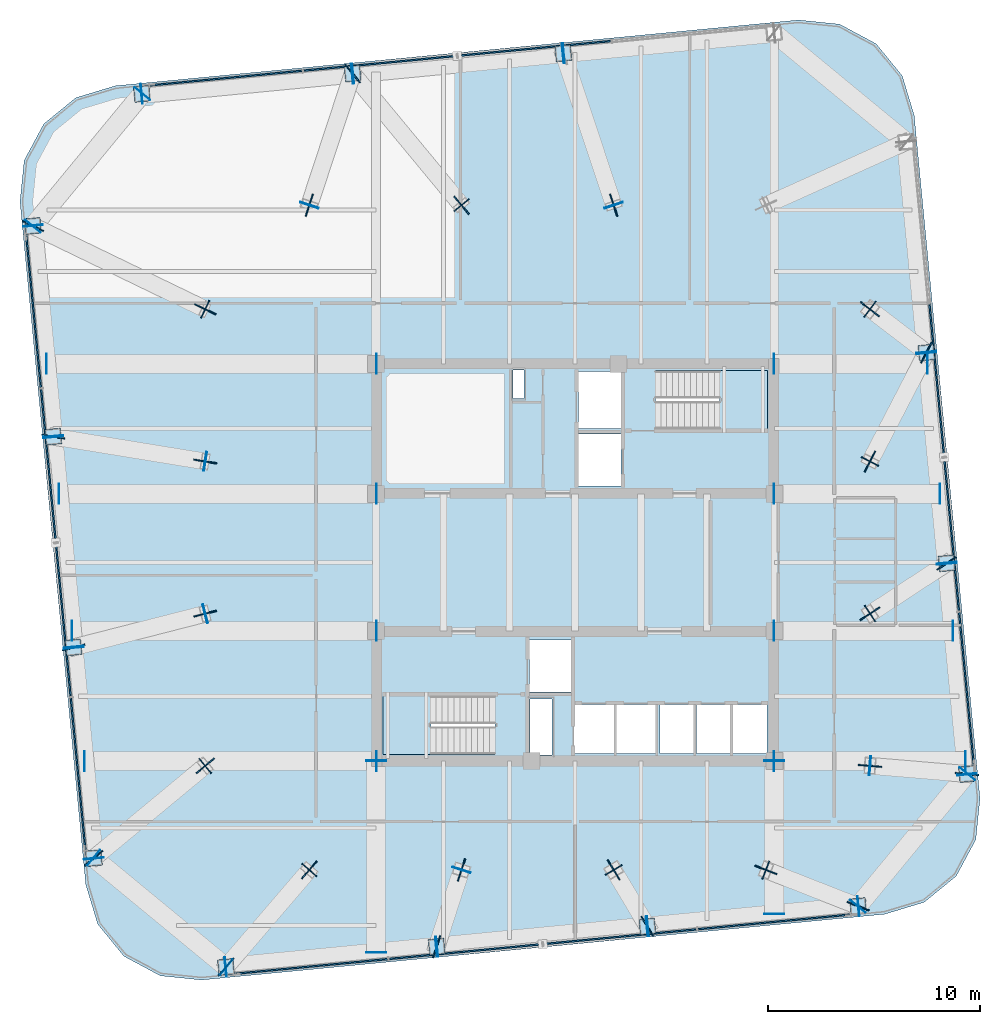
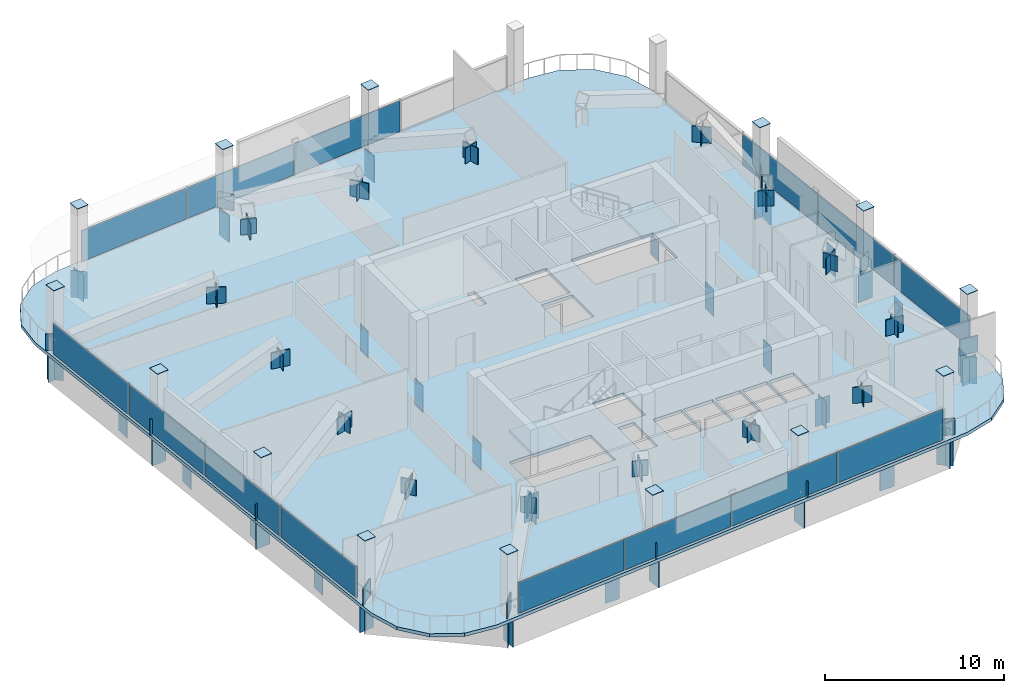
# One storey, part 15 of 22: 118 plates, 3 slabs, 6 elements without a shape of their own.
"""IFC4 building model written with IfcOpenShell, lengths in metres."""

from ifc_helpers import new_model, si_unit, direction, frame, origin, origin_2d, place, context, subcontext, project, spatial, polyline, rectangle, outline, extrude, material, layer, layer_set, type_object, element, aggregate, save


model = new_model("IFC4")

# Units and contexts
model_context = context("Model", 3, precision=1e-05, world=origin(), true_north=direction((0.0, 1.0)))
body_context = subcontext(model_context, "Body", "Model", "MODEL_VIEW")
ifc_project = project(units=[si_unit("LENGTHUNIT", "METRE"), si_unit("AREAUNIT", "SQUARE_METRE"), si_unit("VOLUMEUNIT", "CUBIC_METRE"), si_unit("PLANEANGLEUNIT", "RADIAN"), si_unit("MASSUNIT", "GRAM", prefix="KILO")], contexts=[model_context])

# Site, building, storey
site_placement = place(None, origin())
site = spatial("IfcSite", under=ifc_project, at=site_placement, CompositionType="ELEMENT")
building_placement = place(site_placement, origin())
building = spatial("IfcBuilding", under=site, at=building_placement, Name="Qhalaya Broadcast Tower", CompositionType="ELEMENT")
storey_placement = place(building_placement, frame((0.0, 0.0, 183.60009765625)))
storey = spatial("IfcBuildingStorey", under=building, at=storey_placement, Name="L54", CompositionType="ELEMENT", Elevation=183.60009765625)

# Plates
ifc_material_1 = material(Name="Structural Steel ASTM A572 Grade 50", Category="steel")
ifc_layer_1 = layer(ifc_material_1, 0.054931640625, Name="Structural Steel ASTM A572 Grade 50")
ifc_layer_set_1 = layer_set([ifc_layer_1], Name="Structural Steel ASTM A572 Grade 50")
plate_type_1 = type_object("IfcPlateType", Name="Exoskeleton Diamond Node Gusset Plate NP-01", PredefinedType="USERDEFINED", material=ifc_layer_set_1)
for number, where, z_axis, x_axis, name in (
    (1, (-16.44189453125, -18.44775390625, -0.000244140625), (0.0, 0.0, 1.0), (0.651436558597, 0.758703110659, 0.0), "L54 Strut Foot Gusset Plate 01"),
    (2, (-12.52001953125, -13.8798828125, 2.7099609375), (0.0, 0.0, 1.0), (0.651436558597, 0.758703110659, 0.0), "L54 Strut Head Gusset Plate 01"),
    (3, (-6.521240234375, -17.49267578125, -0.000244140625), (0.0, 0.0, 1.0), (0.307605734096, 0.951513905495, 0.0), "L54 Strut Foot Gusset Plate 02"),
    (4, (-5.353271484375, -13.8798828125, 2.7099609375), (0.0, 0.0, 1.0), (0.307605734096, 0.951513905495, 0.0), "L54 Strut Head Gusset Plate 02"),
    (5, (3.399658203125, -16.537353515625, -0.000244140625), (0.0, 0.0, 1.0), (-0.512567478044, 0.8586469475, 0.0), "L54 Strut Foot Gusset Plate 03"),
    (6, (1.813232421875, -13.8798828125, 2.7099609375), (0.0, 0.0, 1.0), (-0.512567478044, 0.8586469475, 0.0), "L54 Strut Head Gusset Plate 03"),
    (7, (13.3203125, -15.58203125, -0.000244140625), (0.0, 0.0, 1.0), (-0.930979375828, 0.365071776208, 0.0), "L54 Strut Foot Gusset Plate 04"),
    (8, (8.97998046875, -13.8798828125, 2.7099609375), (0.0, 0.0, 1.0), (-0.930979375828, 0.365071776208, 0.0), "L54 Strut Head Gusset Plate 04"),
    (9, (18.44775390625, -9.362060546875, -0.000244140625), (0.0, 0.0, 1.0), (-0.996522007617, 0.083329996614, 0.0), "L54 Strut Foot Gusset Plate 05"),
    (10, (13.8798828125, -8.97998046875, 2.7099609375), (0.0, 0.0, 1.0), (-0.996522007617, 0.083329996614, 0.0), "L54 Strut Head Gusset Plate 05"),
    (11, (17.49267578125, 0.558837890625, -0.000244140625), (0.0, 0.0, 1.0), (-0.835903171196, -0.548876933733, 0.0), "L54 Strut Foot Gusset Plate 06"),
    (12, (13.8798828125, -1.813232421875, 2.7099609375), (0.0, 0.0, 1.0), (-0.835903171196, -0.548876933733, 0.0), "L54 Strut Head Gusset Plate 06"),
    (13, (16.537353515625, 10.4794921875, -0.000244140625), (0.0, 0.0, 1.0), (-0.460215280015, -0.887807353, 0.0), "L54 Strut Foot Gusset Plate 07"),
    (14, (13.8798828125, 5.353271484375, 2.7099609375), (0.0, 0.0, 1.0), (-0.460215280015, -0.887807353, 0.0), "L54 Strut Head Gusset Plate 07"),
    (15, (13.8798828125, 12.52001953125, 2.7099609375), (0.0, 0.0, 1.0), (-0.793151423739, 0.609024481463, 0.0), "L54 Strut Head Gusset Plate 08"),
    (16, (1.813232421875, 17.419921875, 2.7099609375), (0.0, 0.0, 1.0), (0.314787734517, -0.949162094796, 0.0), "L54 Strut Head Gusset Plate 10"),
    (17, (-10.4794921875, 23.6171875, -0.000244140625), (0.0, 0.0, 1.0), (0.637383644896, -0.770546617162, 0.0), "L54 Strut Foot Gusset Plate 11"),
    (18, (-5.353271484375, 17.419921875, 2.7099609375), (0.0, 0.0, 1.0), (0.637383644896, -0.770546617162, 0.0), "L54 Strut Head Gusset Plate 11"),
    (19, (-12.52001953125, 17.419921875, 2.7099609375), (0.0, 0.0, 1.0), (-0.312732814462, -0.949841137643, 0.0), "L54 Strut Head Gusset Plate 12"),
    (20, (-25.52783203125, 16.44189453125, -0.000244140625), (0.0, 0.0, 1.0), (0.900204797315, -0.435466787358, 0.0), "L54 Strut Foot Gusset Plate 13"),
    (21, (-17.419921875, 12.52001953125, 2.7099609375), (0.0, 0.0, 1.0), (0.900204797315, -0.435466787358, 0.0), "L54 Strut Head Gusset Plate 13"),
    (22, (-24.572509765625, 6.521240234375, -0.000244140625), (0.0, 0.0, 1.0), (0.986928948285, -0.161155983561, 0.0), "L54 Strut Foot Gusset Plate 14"),
    (23, (-17.419921875, 5.353271484375, 2.7099609375), (0.0, 0.0, 1.0), (0.986928948285, -0.161155983561, 0.0), "L54 Strut Head Gusset Plate 14"),
    (24, (-23.6171875, -3.399658203125, -0.000244140625), (0.0, 0.0, 1.0), (0.968765200089, 0.247979811872, 0.0), "L54 Strut Foot Gusset Plate 15"),
    (25, (-17.419921875, -1.813232421875, 2.7099609375), (0.0, 0.0, 1.0), (0.968765200089, 0.247979811872, 0.0), "L54 Strut Head Gusset Plate 15"),
    (26, (-22.662109375, -13.3203125, -0.000244140625), (0.0, 0.0, 1.0), (0.770235040753, 0.637760128885, 0.0), "L54 Strut Foot Gusset Plate 16"),
    (27, (-17.419921875, -8.97998046875, 2.7099609375), (0.0, 0.0, 1.0), (0.770235040753, 0.637760128885, 0.0), "L54 Strut Head Gusset Plate 16"),
):
    element("IfcPlate", number, at=place(storey_placement, frame(where, z_axis=z_axis, x_axis=x_axis)), inside=storey, type_object=plate_type_1, Name=name, ObjectType="GUSSET_PLATE", PredefinedType="USERDEFINED", context=body_context, shape_type="SweptSolid", body=[
        extrude(rectangle(XDim=1.10009765625, YDim=0.06005859375, at=origin_2d()), origin(), (0.0, 0.0, 1.0), 1.10009765625),
    ])
ifc_layer_2 = layer(ifc_material_1, 0.4599609375, Name="Structural Steel ASTM A572 Grade 50")
ifc_layer_set_2 = layer_set([ifc_layer_2], Name="Structural Steel ASTM A572 Grade 50")
plate_type_2 = type_object("IfcPlateType", Name="Hollow Box Member End Cap Plate CP-01", PredefinedType="USERDEFINED", material=ifc_layer_set_2)
for number, where, z_axis, x_axis, name in (
    (28, (-16.4580078125, -18.44921875, -2.0400390625), (0.0, 0.0, 1.0), (-0.09584575252, 0.995396198367, 0.0), "L54 Hollow Girder End Cap L54-SPR-01-A"),
    (29, (-6.50537109375, -17.4912109375, -2.0400390625), (0.0, 0.0, 1.0), (-0.09584575252, 0.995396198367, 0.0), "L54 Hollow Girder End Cap L54-SPR-01-B"),
    (30, (-6.537109375, -17.494140625, -2.0400390625), (0.0, 0.0, 1.0), (-0.09584575252, 0.995396198367, 0.0), "L54 Hollow Girder End Cap L54-SPR-02-A"),
    (31, (3.41552734375, -16.535888671875, -2.0400390625), (0.0, 0.0, 1.0), (-0.09584575252, 0.995396198367, 0.0), "L54 Hollow Girder End Cap L54-SPR-02-B"),
    (32, (3.3837890625, -16.538818359375, -2.0400390625), (0.0, 0.0, 1.0), (-0.09584575252, 0.995396198367, 0.0), "L54 Hollow Girder End Cap L54-SPR-03-A"),
    (33, (13.336181640625, -15.58056640625, -2.0400390625), (0.0, 0.0, 1.0), (-0.09584575252, 0.995396198367, 0.0), "L54 Hollow Girder End Cap L54-SPR-03-B"),
    (34, (13.310302734375, -15.59423828125, -2.0400390625), (0.0, 0.0, 1.0), (-0.771624583388, 0.636078220278, 0.0), "L54 Hollow Girder End Cap L54-SPR-04-A"),
    (35, (18.4580078125, -9.349609375, -2.0400390625), (0.0, 0.0, 1.0), (-0.771624583388, 0.636078220278, 0.0), "L54 Hollow Girder End Cap L54-SPR-04-B"),
    (36, (18.44921875, -9.3779296875, -2.0400390625), (0.0, 0.0, 1.0), (-0.995396198367, -0.09584575252, 0.0), "L54 Hollow Girder End Cap L54-SPR-05-A"),
    (37, (17.4912109375, 0.57470703125, -2.0400390625), (0.0, 0.0, 1.0), (-0.995396198367, -0.09584575252, 0.0), "L54 Hollow Girder End Cap L54-SPR-05-B"),
    (38, (17.494140625, 0.54296875, -2.0400390625), (0.0, 0.0, 1.0), (-0.995396198367, -0.09584575252, 0.0), "L54 Hollow Girder End Cap L54-SPR-06-A"),
    (39, (16.535888671875, 10.49560546875, -2.0400390625), (0.0, 0.0, 1.0), (-0.995396198367, -0.09584575252, 0.0), "L54 Hollow Girder End Cap L54-SPR-06-B"),
    (40, (16.538818359375, 10.463623046875, -2.0400390625), (0.0, 0.0, 1.0), (-0.995396198367, -0.09584575252, 0.0), "L54 Hollow Girder End Cap L54-SPR-07-A"),
    (41, (-0.57470703125, 24.571044921875, -2.0400390625), (0.0, 0.0, 1.0), (0.09584575252, -0.995396198367, 0.0), "L54 Hollow Girder End Cap L54-SPR-09-B"),
    (42, (-0.54296875, 24.57421875, -2.0400390625), (0.0, 0.0, 1.0), (0.09584575252, -0.995396198367, 0.0), "L54 Hollow Girder End Cap L54-SPR-10-A"),
    (43, (-10.49560546875, 23.61572265625, -2.0400390625), (0.0, 0.0, 1.0), (0.09584575252, -0.995396198367, 0.0), "L54 Hollow Girder End Cap L54-SPR-10-B"),
    (44, (-10.463623046875, 23.618896484375, -2.0400390625), (0.0, 0.0, 1.0), (0.09584575252, -0.995396198367, 0.0), "L54 Hollow Girder End Cap L54-SPR-11-A"),
    (45, (-20.416259765625, 22.660400390625, -2.0400390625), (0.0, 0.0, 1.0), (0.09584575252, -0.995396198367, 0.0), "L54 Hollow Girder End Cap L54-SPR-11-B"),
    (46, (-20.39013671875, 22.67431640625, -2.0400390625), (0.0, 0.0, 1.0), (0.771624583388, -0.636078220278, 0.0), "L54 Hollow Girder End Cap L54-SPR-12-A"),
    (47, (-25.5380859375, 16.4296875, -2.0400390625), (0.0, 0.0, 1.0), (0.771624583388, -0.636078220278, 0.0), "L54 Hollow Girder End Cap L54-SPR-12-B"),
    (48, (-25.529296875, 16.4580078125, -2.0400390625), (0.0, 0.0, 1.0), (0.995396198367, 0.09584575252, 0.0), "L54 Hollow Girder End Cap L54-SPR-13-A"),
    (49, (-24.571044921875, 6.50537109375, -2.0400390625), (0.0, 0.0, 1.0), (0.995396198367, 0.09584575252, 0.0), "L54 Hollow Girder End Cap L54-SPR-13-B"),
    (50, (-24.57421875, 6.537109375, -2.0400390625), (0.0, 0.0, 1.0), (0.995396198367, 0.09584575252, 0.0), "L54 Hollow Girder End Cap L54-SPR-14-A"),
    (51, (-23.61572265625, -3.41552734375, -2.0400390625), (0.0, 0.0, 1.0), (0.995396198367, 0.09584575252, 0.0), "L54 Hollow Girder End Cap L54-SPR-14-B"),
    (52, (-23.618896484375, -3.3837890625, -2.0400390625), (0.0, 0.0, 1.0), (0.995396198367, 0.09584575252, 0.0), "L54 Hollow Girder End Cap L54-SPR-15-A"),
    (53, (-22.660400390625, -13.336181640625, -2.0400390625), (0.0, 0.0, 1.0), (0.995396198367, 0.09584575252, 0.0), "L54 Hollow Girder End Cap L54-SPR-15-B"),
    (54, (-22.67431640625, -13.310302734375, -2.0400390625), (0.0, 0.0, 1.0), (0.636078220278, 0.771624583388, 0.0), "L54 Hollow Girder End Cap L54-SPR-16-A"),
    (55, (-16.4296875, -18.4580078125, -2.0400390625), (0.0, 0.0, 1.0), (0.636078220278, 0.771624583388, 0.0), "L54 Hollow Girder End Cap L54-SPR-16-B"),
    (56, (-9.375, -17.76318359375, -2.0400390625), (0.0, 0.0, 1.0), (-1.0, 0.0, 0.0), "L54 Hollow Girder End Cap L54-PGXS1-1-A"),
    (57, (-9.375, -8.73388671875, -2.0400390625), (0.0, 0.0, 1.0), (-1.0, 0.0, 0.0), "L54 Hollow Girder End Cap L54-PGXS1-1-B"),
    (58, (9.375, -15.957763671875, -2.0400390625), (0.0, 0.0, 1.0), (-1.0, 0.0, 0.0), "L54 Hollow Girder End Cap L54-PGXS2-1-A"),
    (59, (9.375, -8.73388671875, -2.0400390625), (0.0, 0.0, 1.0), (-1.0, 0.0, 0.0), "L54 Hollow Girder End Cap L54-PGXS2-1-B"),
    (60, (-23.097900390625, -8.75, -2.0400390625), (0.0, 0.0, 1.0), (0.0, 1.0, 0.0), "L54 Hollow Girder End Cap L54-PGYW1-1-A"),
    (61, (-9.35888671875, -8.75, -2.0400390625), (0.0, 0.0, 1.0), (0.0, 1.0, 0.0), "L54 Hollow Girder End Cap L54-PGYW1-1-B"),
    (62, (9.35888671875, -8.75, -2.0400390625), (0.0, 0.0, 1.0), (0.0, 1.0, 0.0), "L54 Hollow Girder End Cap L54-PGYE1-1-A"),
    (63, (18.384765625, -8.75, -2.0400390625), (0.0, 0.0, 1.0), (0.0, 1.0, 0.0), "L54 Hollow Girder End Cap L54-PGYE1-1-B"),
    (64, (-23.687744140625, -2.625, -2.0400390625), (0.0, 0.0, 1.0), (0.0, 1.0, 0.0), "L54 Hollow Girder End Cap L54-PGYW2-1-A"),
    (65, (-9.35888671875, -2.625, -2.0400390625), (0.0, 0.0, 1.0), (0.0, 1.0, 0.0), "L54 Hollow Girder End Cap L54-PGYW2-1-B"),
    (66, (9.35888671875, -2.625, -2.0400390625), (0.0, 0.0, 1.0), (0.0, 1.0, 0.0), "L54 Hollow Girder End Cap L54-PGYE2-1-A"),
    (67, (17.795166015625, -2.625, -2.0400390625), (0.0, 0.0, 1.0), (0.0, 1.0, 0.0), "L54 Hollow Girder End Cap L54-PGYE2-1-B"),
    (68, (-24.308837890625, 3.824951171875, -2.0400390625), (0.0, 0.0, 1.0), (0.0, 1.0, 0.0), "L54 Hollow Girder End Cap L54-PGYW3-1-A"),
    (69, (-9.35888671875, 3.824951171875, -2.0400390625), (0.0, 0.0, 1.0), (0.0, 1.0, 0.0), "L54 Hollow Girder End Cap L54-PGYW3-1-B"),
    (70, (9.35888671875, 3.824951171875, -2.0400390625), (0.0, 0.0, 1.0), (0.0, 1.0, 0.0), "L54 Hollow Girder End Cap L54-PGYE3-1-A"),
    (71, (17.174072265625, 3.824951171875, -2.0400390625), (0.0, 0.0, 1.0), (0.0, 1.0, 0.0), "L54 Hollow Girder End Cap L54-PGYE3-1-B"),
    (72, (-24.898681640625, 9.949951171875, -2.0400390625), (0.0, 0.0, 1.0), (0.0, 1.0, 0.0), "L54 Hollow Girder End Cap L54-PGYW4-1-A"),
    (73, (-9.35888671875, 9.949951171875, -2.0400390625), (0.0, 0.0, 1.0), (0.0, 1.0, 0.0), "L54 Hollow Girder End Cap L54-PGYW4-1-B"),
    (74, (9.35888671875, 9.949951171875, -2.0400390625), (0.0, 0.0, 1.0), (0.0, 1.0, 0.0), "L54 Hollow Girder End Cap L54-PGYE4-1-A"),
    (75, (16.584228515625, 9.949951171875, -2.0400390625), (0.0, 0.0, 1.0), (0.0, 1.0, 0.0), "L54 Hollow Girder End Cap L54-PGYE4-1-B"),
):
    element("IfcPlate", number, at=place(storey_placement, frame(where, z_axis=z_axis, x_axis=x_axis)), inside=storey, type_object=plate_type_2, Name=name, ObjectType="COVER_PLATE", PredefinedType="USERDEFINED", context=body_context, shape_type="SweptSolid", body=[
        extrude(rectangle(XDim=0.93994140625, YDim=0.031982421875, at=origin_2d()), origin(), (0.0, 0.0, 1.0), 1.840087890625),
    ])
for number, where, z_axis, x_axis, name in (
    (76, (-16.44189453125, -18.44775390625, 4.35009765625), (0.0, 0.0, 1.0), (0.995396198367, 0.09584575252, 0.0), "L54 Hollow Box Column Top Cap Plate COL-EX01"),
    (77, (-6.521240234375, -17.49267578125, 4.35009765625), (0.0, 0.0, 1.0), (0.995396198367, 0.09584575252, 0.0), "L54 Hollow Box Column Top Cap Plate COL-EX02"),
    (78, (3.399658203125, -16.537353515625, 4.35009765625), (0.0, 0.0, 1.0), (0.995396198367, 0.09584575252, 0.0), "L54 Hollow Box Column Top Cap Plate COL-EX03"),
    (79, (13.3203125, -15.58203125, 4.35009765625), (0.0, 0.0, 1.0), (0.995396198367, 0.09584575252, 0.0), "L54 Hollow Box Column Top Cap Plate COL-EX04"),
    (80, (18.44775390625, -9.362060546875, 4.35009765625), (0.0, 0.0, 1.0), (-0.09584575252, 0.995396198367, 0.0), "L54 Hollow Box Column Top Cap Plate COL-EX05"),
    (81, (17.49267578125, 0.558837890625, 4.35009765625), (0.0, 0.0, 1.0), (-0.09584575252, 0.995396198367, 0.0), "L54 Hollow Box Column Top Cap Plate COL-EX06"),
    (82, (16.537353515625, 10.4794921875, 4.35009765625), (0.0, 0.0, 1.0), (-0.09584575252, 0.995396198367, 0.0), "L54 Hollow Box Column Top Cap Plate COL-EX07"),
    (83, (-0.558837890625, 24.572509765625, 4.35009765625), (0.0, 0.0, 1.0), (0.995396198367, 0.09584575252, 0.0), "L54 Hollow Box Column Top Cap Plate COL-EX10"),
    (84, (-10.4794921875, 23.6171875, 4.35009765625), (0.0, 0.0, 1.0), (0.995396198367, 0.09584575252, 0.0), "L54 Hollow Box Column Top Cap Plate COL-EX11"),
    (85, (-20.400390625, 22.662109375, 4.35009765625), (0.0, 0.0, 1.0), (0.995396198367, 0.09584575252, 0.0), "L54 Hollow Box Column Top Cap Plate COL-EX12"),
    (86, (-25.52783203125, 16.44189453125, 4.35009765625), (0.0, 0.0, 1.0), (-0.09584575252, 0.995396198367, 0.0), "L54 Hollow Box Column Top Cap Plate COL-EX13"),
    (87, (-24.572509765625, 6.521240234375, 4.35009765625), (0.0, 0.0, 1.0), (-0.09584575252, 0.995396198367, 0.0), "L54 Hollow Box Column Top Cap Plate COL-EX14"),
    (88, (-23.6171875, -3.399658203125, 4.35009765625), (0.0, 0.0, 1.0), (-0.09584575252, 0.995396198367, 0.0), "L54 Hollow Box Column Top Cap Plate COL-EX15"),
    (89, (-22.662109375, -13.3203125, 4.35009765625), (0.0, 0.0, 1.0), (-0.09584575252, 0.995396198367, 0.0), "L54 Hollow Box Column Top Cap Plate COL-EX16"),
):
    element("IfcPlate", number, at=place(storey_placement, frame(where, z_axis=z_axis, x_axis=x_axis)), inside=storey, type_object=plate_type_2, Name=name, ObjectType="COVER_PLATE", PredefinedType="USERDEFINED", context=body_context, shape_type="SweptSolid", body=[
        extrude(rectangle(XDim=0.739990234375, YDim=0.739990234375, at=origin_2d()), origin(), (0.0, 0.0, 1.0), 0.031982421875),
    ])

# Curtain wall, plates
ifc_material_2 = material(Name="Fired Architectural Terracotta", Category="masonry")
ifc_layer_3 = layer(ifc_material_2, 0.219970703125, Name="Fired Architectural Terracotta")
ifc_layer_set_3 = layer_set([ifc_layer_3], Name="Fired Architectural Terracotta")
curtain_wall_type = type_object("IfcCurtainWallType", Name="Block-Cap Unitised Terracotta Spandrel Wall CW-07", PredefinedType="NOTDEFINED", material=ifc_layer_set_3)
curtain_wall_1_placement = place(storey_placement, origin())
curtain_wall_1 = element("IfcCurtainWall", 90, at=curtain_wall_1_placement, inside=storey, type_object=curtain_wall_type, Name="L54 Unitised Curtain Wall L54-CW-S", PredefinedType="NOTDEFINED")
ifc_layer_4 = layer(ifc_material_2, 0.080078125, Name="Fired Architectural Terracotta")
ifc_layer_set_4 = layer_set([ifc_layer_4], Name="Fired Architectural Terracotta")
plate_type_3 = type_object("IfcPlateType", Name="Insulated Terracotta Spandrel Panel TSP-07", PredefinedType="CURTAIN_PANEL", material=ifc_layer_set_4)
plate_1_placement = place(storey_placement, frame((9.363525390625, -16.32470703125, 0.074951171875), z_axis=(0.0, 0.0, 1.0), x_axis=(-0.995396167806, -0.095846069906, 0.0)))
plate_1 = element("IfcPlate", 91, at=plate_1_placement, type_object=plate_type_3, Name="CW-07 panel 1.1", PredefinedType="CURTAIN_PANEL", context=body_context, shape_type="SweptSolid", body=[
    extrude(rectangle(XDim=7.193603515625, YDim=0.080078125, at=origin_2d()), origin(), (0.0, 0.0, 1.0), 2.10009765625),
])
plate_2_placement = place(storey_placement, frame((2.10986328125, -17.023193359375, 0.074951171875), z_axis=(0.0, 0.0, 1.0), x_axis=(-0.995396167806, -0.095846069906, 0.0)))
plate_2 = element("IfcPlate", 92, at=plate_2_placement, type_object=plate_type_3, Name="CW-07 panel 2.1", PredefinedType="CURTAIN_PANEL", context=body_context, shape_type="SweptSolid", body=[
    extrude(rectangle(XDim=7.23095703125, YDim=0.080078125, at=origin_2d()), origin(), (0.0, 0.0, 1.0), 2.10009765625),
])
plate_3_placement = place(storey_placement, frame((-5.162353515625, -17.723388671875, 0.074951171875), z_axis=(0.0, 0.0, 1.0), x_axis=(-0.995396167806, -0.095846069906, 0.0)))
plate_3 = element("IfcPlate", 93, at=plate_3_placement, type_object=plate_type_3, Name="CW-07 panel 3.1", PredefinedType="CURTAIN_PANEL", context=body_context, shape_type="SweptSolid", body=[
    extrude(rectangle(XDim=7.23095703125, YDim=0.080078125, at=origin_2d()), origin(), (0.0, 0.0, 1.0), 2.10009765625),
])
plate_4_placement = place(storey_placement, frame((-12.416259765625, -18.421875, 0.074951171875), z_axis=(0.0, 0.0, 1.0), x_axis=(-0.995396167806, -0.095846069906, 0.0)))
plate_4 = element("IfcPlate", 94, at=plate_4_placement, type_object=plate_type_3, Name="CW-07 panel 4.1", PredefinedType="CURTAIN_PANEL", context=body_context, shape_type="SweptSolid", body=[
    extrude(rectangle(XDim=7.193603515625, YDim=0.080078125, at=origin_2d()), origin(), (0.0, 0.0, 1.0), 2.10009765625),
])
aggregate(curtain_wall_1, [plate_1, plate_2, plate_3, plate_4])

curtain_wall_2_placement = place(storey_placement, origin())
curtain_wall_2 = element("IfcCurtainWall", 95, at=curtain_wall_2_placement, inside=storey, type_object=curtain_wall_type, Name="L54 Unitised Curtain Wall L54-CW-E", PredefinedType="NOTDEFINED")
plate_5_placement = place(storey_placement, frame((17.023193359375, 9.18994140625, 0.074951171875), z_axis=(0.0, 0.0, 1.0), x_axis=(0.095846069906, -0.995396167806, 0.0)))
plate_5 = element("IfcPlate", 96, at=plate_5_placement, type_object=plate_type_3, Name="CW-07 panel 2.1", PredefinedType="CURTAIN_PANEL", context=body_context, shape_type="SweptSolid", body=[
    extrude(rectangle(XDim=7.23095703125, YDim=0.080078125, at=origin_2d()), origin(), (0.0, 0.0, 1.0), 2.10009765625),
])
plate_6_placement = place(storey_placement, frame((17.723388671875, 1.91748046875, 0.074951171875), z_axis=(0.0, 0.0, 1.0), x_axis=(0.095846069906, -0.995396167806, 0.0)))
plate_6 = element("IfcPlate", 97, at=plate_6_placement, type_object=plate_type_3, Name="CW-07 panel 3.1", PredefinedType="CURTAIN_PANEL", context=body_context, shape_type="SweptSolid", body=[
    extrude(rectangle(XDim=7.23095703125, YDim=0.080078125, at=origin_2d()), origin(), (0.0, 0.0, 1.0), 2.10009765625),
])
plate_7_placement = place(storey_placement, frame((18.421875, -5.336181640625, 0.074951171875), z_axis=(0.0, 0.0, 1.0), x_axis=(0.095846069906, -0.995396167806, 0.0)))
plate_7 = element("IfcPlate", 98, at=plate_7_placement, type_object=plate_type_3, Name="CW-07 panel 4.1", PredefinedType="CURTAIN_PANEL", context=body_context, shape_type="SweptSolid", body=[
    extrude(rectangle(XDim=7.193603515625, YDim=0.080078125, at=origin_2d()), origin(), (0.0, 0.0, 1.0), 2.10009765625),
])
aggregate(curtain_wall_2, [plate_5, plate_6, plate_7])

curtain_wall_3_placement = place(storey_placement, origin())
curtain_wall_3 = element("IfcCurtainWall", 99, at=curtain_wall_3_placement, inside=storey, type_object=curtain_wall_type, Name="L54 Unitised Curtain Wall L54-CW-N", PredefinedType="NOTDEFINED")
plate_8_placement = place(storey_placement, frame((-16.443603515625, 23.40478515625, 0.074951171875), z_axis=(0.0, 0.0, 1.0), x_axis=(0.995396167806, 0.095846069906, 0.0)))
plate_8 = element("IfcPlate", 100, at=plate_8_placement, type_object=plate_type_3, Name="CW-07 panel 1.1", PredefinedType="CURTAIN_PANEL", context=body_context, shape_type="SweptSolid", body=[
    extrude(rectangle(XDim=7.193603515625, YDim=0.080078125, at=origin_2d()), origin(), (0.0, 0.0, 1.0), 2.10009765625),
])
plate_9_placement = place(storey_placement, frame((-9.18994140625, 24.103271484375, 0.074951171875), z_axis=(0.0, 0.0, 1.0), x_axis=(0.995396167806, 0.095846069906, 0.0)))
plate_9 = element("IfcPlate", 101, at=plate_9_placement, type_object=plate_type_3, Name="CW-07 panel 2.1", PredefinedType="CURTAIN_PANEL", context=body_context, shape_type="SweptSolid", body=[
    extrude(rectangle(XDim=7.23095703125, YDim=0.080078125, at=origin_2d()), origin(), (0.0, 0.0, 1.0), 2.10009765625),
])
plate_10_placement = place(storey_placement, frame((-1.91748046875, 24.803466796875, 0.074951171875), z_axis=(0.0, 0.0, 1.0), x_axis=(0.995396167806, 0.095846069906, 0.0)))
plate_10 = element("IfcPlate", 102, at=plate_10_placement, type_object=plate_type_3, Name="CW-07 panel 3.1", PredefinedType="CURTAIN_PANEL", context=body_context, shape_type="SweptSolid", body=[
    extrude(rectangle(XDim=7.23095703125, YDim=0.080078125, at=origin_2d()), origin(), (0.0, 0.0, 1.0), 2.10009765625),
])
aggregate(curtain_wall_3, [plate_8, plate_9, plate_10])

curtain_wall_4_placement = place(storey_placement, origin())
curtain_wall_4 = element("IfcCurtainWall", 103, at=curtain_wall_4_placement, inside=storey, type_object=curtain_wall_type, Name="L54 Unitised Curtain Wall L54-CW-W", PredefinedType="NOTDEFINED")
plate_11_placement = place(storey_placement, frame((-23.40478515625, -9.363525390625, 0.074951171875), z_axis=(0.0, 0.0, 1.0), x_axis=(-0.095846069906, 0.995396167806, 0.0)))
plate_11 = element("IfcPlate", 104, at=plate_11_placement, type_object=plate_type_3, Name="CW-07 panel 1.1", PredefinedType="CURTAIN_PANEL", context=body_context, shape_type="SweptSolid", body=[
    extrude(rectangle(XDim=7.193603515625, YDim=0.080078125, at=origin_2d()), origin(), (0.0, 0.0, 1.0), 2.10009765625),
])
plate_12_placement = place(storey_placement, frame((-24.103271484375, -2.10986328125, 0.074951171875), z_axis=(0.0, 0.0, 1.0), x_axis=(-0.095846069906, 0.995396167806, 0.0)))
plate_12 = element("IfcPlate", 105, at=plate_12_placement, type_object=plate_type_3, Name="CW-07 panel 2.1", PredefinedType="CURTAIN_PANEL", context=body_context, shape_type="SweptSolid", body=[
    extrude(rectangle(XDim=7.23095703125, YDim=0.080078125, at=origin_2d()), origin(), (0.0, 0.0, 1.0), 2.10009765625),
])
plate_13_placement = place(storey_placement, frame((-24.803466796875, 5.162353515625, 0.074951171875), z_axis=(0.0, 0.0, 1.0), x_axis=(-0.095846069906, 0.995396167806, 0.0)))
plate_13 = element("IfcPlate", 106, at=plate_13_placement, type_object=plate_type_3, Name="CW-07 panel 3.1", PredefinedType="CURTAIN_PANEL", context=body_context, shape_type="SweptSolid", body=[
    extrude(rectangle(XDim=7.23095703125, YDim=0.080078125, at=origin_2d()), origin(), (0.0, 0.0, 1.0), 2.10009765625),
])
plate_14_placement = place(storey_placement, frame((-25.501953125, 12.416259765625, 0.074951171875), z_axis=(0.0, 0.0, 1.0), x_axis=(-0.095846069906, 0.995396167806, 0.0)))
plate_14 = element("IfcPlate", 107, at=plate_14_placement, type_object=plate_type_3, Name="CW-07 panel 4.1", PredefinedType="CURTAIN_PANEL", context=body_context, shape_type="SweptSolid", body=[
    extrude(rectangle(XDim=7.193603515625, YDim=0.080078125, at=origin_2d()), origin(), (0.0, 0.0, 1.0), 2.10009765625),
])
aggregate(curtain_wall_4, [plate_11, plate_12, plate_13, plate_14])

# Stair, slab
ifc_material_3 = material(Name="Concrete C40/50", Category="concrete")
stair_type = type_object("IfcStairType", Name="Protected Dogleg Core Stair 4200", PredefinedType="TWO_STRAIGHT_RUN_STAIR", material=ifc_material_3)
stair_1_placement = place(storey_placement, origin())
stair_1 = element("IfcStair", 108, at=stair_1_placement, inside=storey, type_object=stair_type, Name="L54 North Core Exit Stair ST-1", PredefinedType="TWO_STRAIGHT_RUN_STAIR")
ifc_layer_5 = layer(ifc_material_3, 0.199951171875, Name="Concrete C40/50")
ifc_layer_set_5 = layer_set([ifc_layer_5], Name="Concrete C40/50")
slab_type_1 = type_object("IfcSlabType", Name="Stair & Ramp Half-Landing Slab 200", PredefinedType="LANDING", material=ifc_layer_set_5)
slab_1_placement = place(storey_placement, frame((0.0, 0.0, 1.974853515625)))
slab_1 = element("IfcSlab", 109, at=slab_1_placement, type_object=slab_type_1, Name="ST-1 landing 1", PredefinedType="LANDING", context=body_context, shape_type="SweptSolid", body=[
    extrude(outline(polyline([(6.794921875, 6.8798828125), (9.050048828125, 6.8798828125), (9.050048828125, 9.639892578125), (6.794921875, 9.639892578125), (6.794921875, 6.8798828125)])), origin(), (0.0, 0.0, 1.0), 0.199951171875),
])
aggregate(stair_1, [slab_1])

stair_2_placement = place(storey_placement, origin())
stair_2 = element("IfcStair", 110, at=stair_2_placement, inside=storey, type_object=stair_type, Name="L54 South Core Exit Stair ST-2", PredefinedType="TWO_STRAIGHT_RUN_STAIR")
slab_2_placement = place(storey_placement, frame((0.0, 0.0, 1.974853515625)))
slab_2 = element("IfcSlab", 111, at=slab_2_placement, type_object=slab_type_1, Name="ST-2 landing 1", PredefinedType="LANDING", context=body_context, shape_type="SweptSolid", body=[
    extrude(outline(polyline([(-6.794921875, -5.679931640625), (-9.050048828125, -5.679931640625), (-9.050048828125, -8.43994140625), (-6.794921875, -8.43994140625), (-6.794921875, -5.679931640625)])), origin(), (0.0, 0.0, 1.0), 0.199951171875),
])
aggregate(stair_2, [slab_2])

# Slab
ifc_layer_6 = layer(ifc_material_3, 0.219970703125, Name="Concrete C40/50")
ifc_layer_set_6 = layer_set([ifc_layer_6], Name="Concrete C40/50")
slab_type_2 = type_object("IfcSlabType", Name="Tower Composite Floor Slab 220", PredefinedType="FLOOR", material=ifc_layer_set_6)
slab_3_placement = place(storey_placement, frame((0.0, 0.0, -0.22021484375)))
element("IfcSlab", 112, at=slab_3_placement, inside=storey, type_object=slab_type_2, Name="L54 Main Structural Floor Slab", PredefinedType="FLOOR", context=body_context, shape_type="SweptSolid", body=[
    extrude(outline(polyline([(14.562744140625, -15.964599609375), (16.430908203125, -15.402587890625), (17.941650390625, -14.168212890625), (18.864990234375, -12.44970703125), (19.060546875, -10.508544921875), (15.964599609375, 21.642822265625), (15.402587890625, 23.510986328125), (14.168212890625, 25.021728515625), (12.44970703125, 25.945068359375), (10.508544921875, 26.140380859375), (-21.642822265625, 23.044677734375), (-23.510986328125, 22.482421875), (-25.021728515625, 21.248046875), (-25.945068359375, 19.529541015625), (-26.140380859375, 17.58837890625), (-23.044677734375, -14.562744140625), (-22.482421875, -16.430908203125), (-21.248046875, -17.941650390625), (-19.529541015625, -18.864990234375), (-17.58837890625, -19.060546875), (14.562744140625, -15.964599609375)]), holes=[polyline([(3.784912109375, 9.639892578125), (9.050048828125, 9.639892578125), (9.050048828125, 6.8798828125), (3.784912109375, 6.8798828125), (3.784912109375, 9.639892578125)]), polyline([(-3.784912109375, -8.43994140625), (-9.050048828125, -8.43994140625), (-9.050048828125, -5.679931640625), (-3.784912109375, -5.679931640625), (-3.784912109375, -8.43994140625)]), polyline([(0.14990234375, 6.64990234375), (2.14990234375, 6.64990234375), (2.14990234375, 4.199951171875), (0.14990234375, 4.199951171875), (0.14990234375, 6.64990234375)]), polyline([(0.14990234375, 9.60009765625), (2.14990234375, 9.60009765625), (2.14990234375, 6.89990234375), (0.14990234375, 6.89990234375), (0.14990234375, 9.60009765625)]), polyline([(-2.14990234375, -3.050048828125), (-0.14990234375, -3.050048828125), (-0.14990234375, -5.5), (-2.14990234375, -5.5), (-2.14990234375, -3.050048828125)]), polyline([(-0.050048828125, -6.10009765625), (1.830078125, -6.10009765625), (1.830078125, -8.39990234375), (-0.050048828125, -8.39990234375), (-0.050048828125, -6.10009765625)]), polyline([(1.949951171875, -6.10009765625), (3.830078125, -6.10009765625), (3.830078125, -8.39990234375), (1.949951171875, -8.39990234375), (1.949951171875, -6.10009765625)]), polyline([(4.0, -6.10009765625), (5.60009765625, -6.10009765625), (5.60009765625, -8.39990234375), (4.0, -8.39990234375), (4.0, -6.10009765625)]), polyline([(5.719970703125, -6.10009765625), (7.320068359375, -6.10009765625), (7.320068359375, -8.39990234375), (5.719970703125, -8.39990234375), (5.719970703125, -6.10009765625)]), polyline([(7.43994140625, -6.10009765625), (9.0400390625, -6.10009765625), (9.0400390625, -8.39990234375), (7.43994140625, -8.39990234375), (7.43994140625, -6.10009765625)]), polyline([(-2.919921875, 9.659912109375), (-2.419921875, 9.659912109375), (-2.419921875, 8.320068359375), (-2.919921875, 8.320068359375), (-2.919921875, 9.659912109375)]), polyline([(-2.1201171875, -5.820068359375), (-1.080078125, -5.820068359375), (-1.080078125, -8.4599609375), (-2.1201171875, -8.4599609375), (-2.1201171875, -5.820068359375)])]), origin(), (0.0, 0.0, 1.0), 0.22021484375),
])

# Plates
ifc_layer_7 = layer(ifc_material_1, 0.044921875, Name="Structural Steel ASTM A572 Grade 50")
ifc_layer_set_7 = layer_set([ifc_layer_7], Name="Structural Steel ASTM A572 Grade 50")
plate_type_4 = type_object("IfcPlateType", Name="Transfer Girder Web Stiffener Plate WS-01", PredefinedType="USERDEFINED", material=ifc_layer_set_7)
for number, where, z_axis, x_axis, name in (
    (113, (-12.52001953125, -13.8798828125, 2.73486328125), (0.0, 0.0, 1.0), (-0.758703110659, 0.651436558597, 0.0), "L54 Strut Head Cross Diaphragm Plate 01"),
    (114, (-5.353271484375, -13.8798828125, 2.73486328125), (0.0, 0.0, 1.0), (-0.951513905495, 0.307605734096, 0.0), "L54 Strut Head Cross Diaphragm Plate 02"),
    (115, (1.813232421875, -13.8798828125, 2.73486328125), (0.0, 0.0, 1.0), (-0.8586469475, -0.512567478044, 0.0), "L54 Strut Head Cross Diaphragm Plate 03"),
    (116, (8.97998046875, -13.8798828125, 2.73486328125), (0.0, 0.0, 1.0), (-0.365071776208, -0.930979375828, 0.0), "L54 Strut Head Cross Diaphragm Plate 04"),
    (117, (13.8798828125, -8.97998046875, 2.73486328125), (0.0, 0.0, 1.0), (-0.083329996614, -0.996522007617, 0.0), "L54 Strut Head Cross Diaphragm Plate 05"),
    (118, (13.8798828125, -1.813232421875, 2.73486328125), (0.0, 0.0, 1.0), (0.548876933733, -0.835903171196, 0.0), "L54 Strut Head Cross Diaphragm Plate 06"),
    (119, (13.8798828125, 5.353271484375, 2.73486328125), (0.0, 0.0, 1.0), (0.887807353, -0.460215280015, 0.0), "L54 Strut Head Cross Diaphragm Plate 07"),
    (120, (13.8798828125, 12.52001953125, 2.73486328125), (0.0, 0.0, 1.0), (-0.609024481463, -0.793151423739, 0.0), "L54 Strut Head Cross Diaphragm Plate 08"),
    (121, (1.813232421875, 17.419921875, 2.73486328125), (0.0, 0.0, 1.0), (0.949162094796, 0.314787734517, 0.0), "L54 Strut Head Cross Diaphragm Plate 10"),
    (122, (-5.353271484375, 17.419921875, 2.73486328125), (0.0, 0.0, 1.0), (0.770546617162, 0.637383644896, 0.0), "L54 Strut Head Cross Diaphragm Plate 11"),
    (123, (-12.52001953125, 17.419921875, 2.73486328125), (0.0, 0.0, 1.0), (0.949841137643, -0.312732814462, 0.0), "L54 Strut Head Cross Diaphragm Plate 12"),
    (124, (-17.419921875, 12.52001953125, 2.73486328125), (0.0, 0.0, 1.0), (0.435466787358, 0.900204797315, 0.0), "L54 Strut Head Cross Diaphragm Plate 13"),
    (125, (-17.419921875, 5.353271484375, 2.73486328125), (0.0, 0.0, 1.0), (0.161155983561, 0.986928948285, 0.0), "L54 Strut Head Cross Diaphragm Plate 14"),
    (126, (-17.419921875, -1.813232421875, 2.73486328125), (0.0, 0.0, 1.0), (-0.247979811872, 0.968765200089, 0.0), "L54 Strut Head Cross Diaphragm Plate 15"),
    (127, (-17.419921875, -8.97998046875, 2.73486328125), (0.0, 0.0, 1.0), (-0.637760128885, 0.770235040753, 0.0), "L54 Strut Head Cross Diaphragm Plate 16"),
):
    element("IfcPlate", number, at=place(storey_placement, frame(where, z_axis=z_axis, x_axis=x_axis)), inside=storey, type_object=plate_type_4, Name=name, ObjectType="STIFFENER_PLATE", PredefinedType="USERDEFINED", context=body_context, shape_type="SweptSolid", body=[
        extrude(rectangle(XDim=0.89990234375, YDim=0.044921875, at=origin_2d()), origin(), (0.0, 0.0, 1.0), 1.050048828125),
    ])

save(model, "model.ifc")
